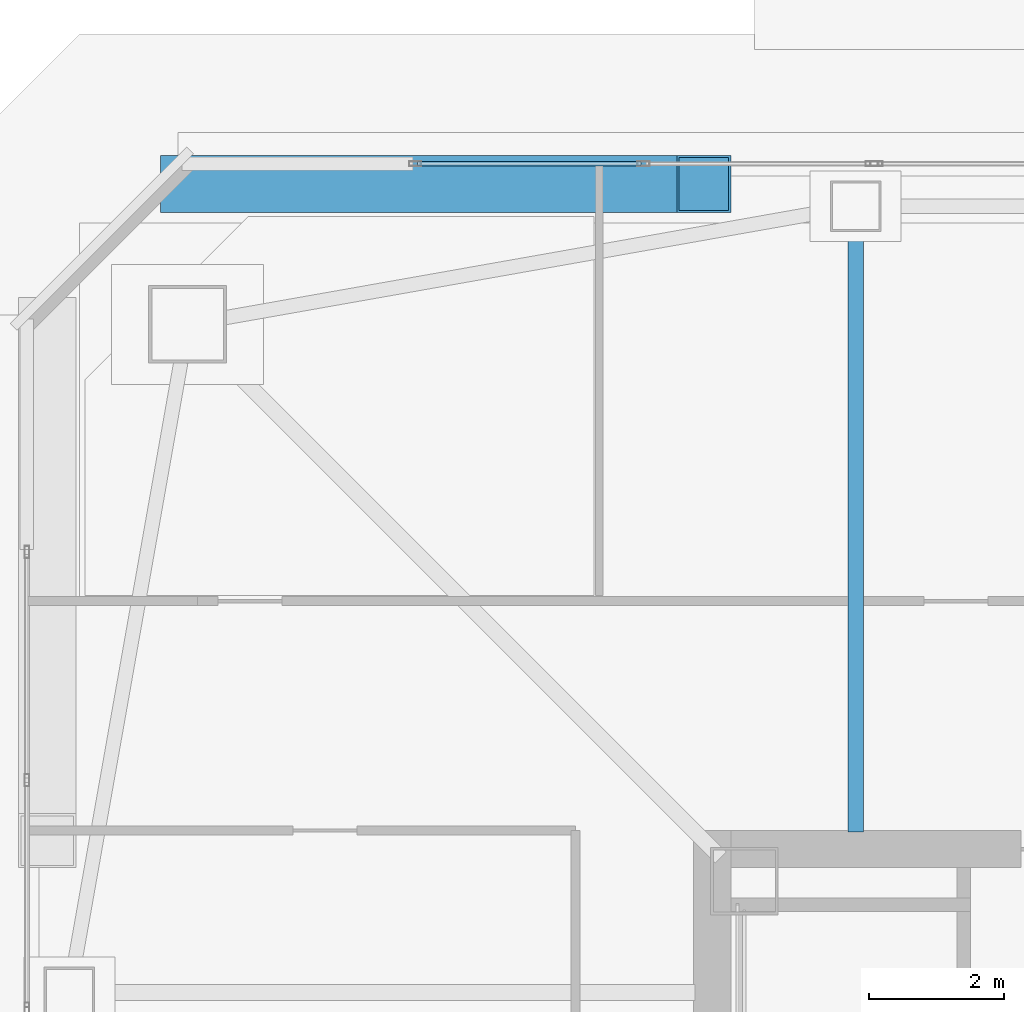
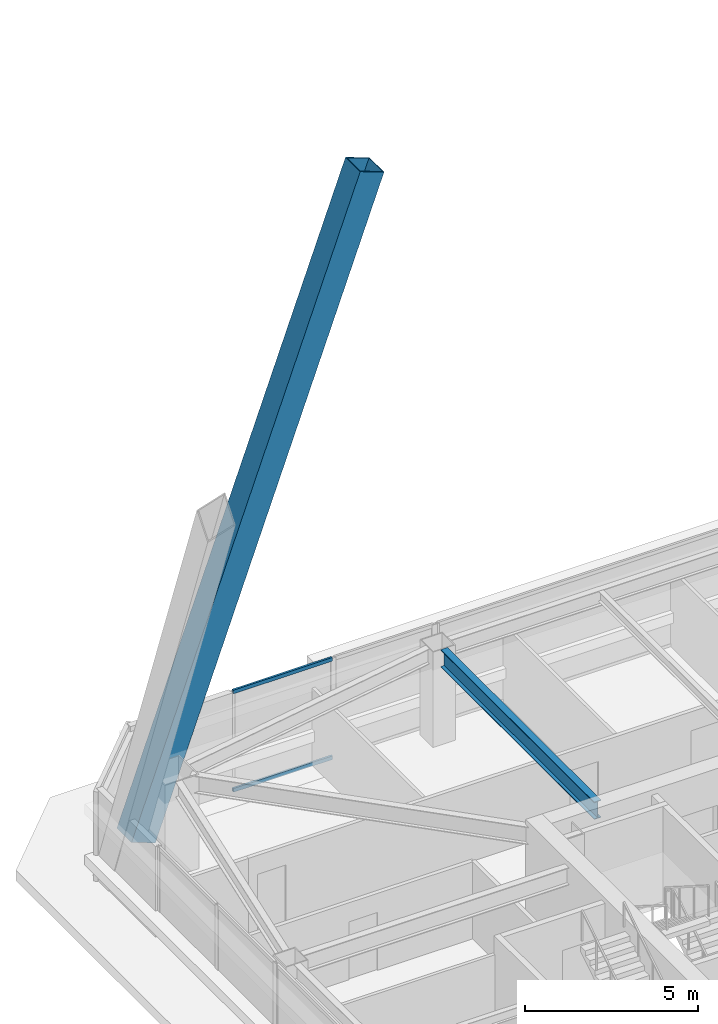
# One storey, part 19 of 65: 3 members, 1 beam, 1 element without a shape of its own.
"""IFC4 building model written with IfcOpenShell, lengths in metres."""

from ifc_helpers import new_model, si_unit, direction, frame, origin, origin_2d, place, context, subcontext, project, spatial, hollow_rectangle, i_section, extrude, material, material_profile, profile_set, type_object, element, aggregate, save


model = new_model("IFC4")

# Units and contexts
model_context = context("Model", 3, precision=1e-05, world=origin(), true_north=direction((0.0, 1.0)))
body_context = subcontext(model_context, "Body", "Model", "MODEL_VIEW")
ifc_project = project(units=[si_unit("LENGTHUNIT", "METRE"), si_unit("AREAUNIT", "SQUARE_METRE"), si_unit("VOLUMEUNIT", "CUBIC_METRE"), si_unit("PLANEANGLEUNIT", "RADIAN"), si_unit("MASSUNIT", "GRAM", prefix="KILO")], contexts=[model_context])

# Site, building, storey
site_placement = place(None, origin())
site = spatial("IfcSite", under=ifc_project, at=site_placement, CompositionType="ELEMENT")
building_placement = place(site_placement, origin())
building = spatial("IfcBuilding", under=site, at=building_placement, Name="Tashvorn Skyway Center", CompositionType="ELEMENT")
storey_placement = place(building_placement, frame((0.0, 0.0, 157.0)))
storey = spatial("IfcBuildingStorey", under=building, at=storey_placement, Name="L42", CompositionType="ELEMENT", Elevation=157.0)

# Beam
ifc_material_1 = material(Name="Steel ASTM A992 Grade 50", Category="steel")
ifc_material_profile_1 = material_profile(ifc_material_1, i_section(OverallWidth=0.22998046875, OverallDepth=0.616943359375, WebThickness=0.01318359375, FlangeThickness=0.022216796875, at=origin_2d()), Name="W24X94")
ifc_profile_set_1 = profile_set([ifc_material_profile_1], Name="Steel ASTM A992 Grade 50")
beam_type = type_object("IfcBeamType", Name="BM-BEAM-W24X94", PredefinedType="BEAM", material=ifc_profile_set_1)
beam_placement = place(storey_placement, frame((36.60009765625, 48.679931640625, 3.0615234375), z_axis=(0.0, -1.0, 0.0), x_axis=(1.0, 0.0, 0.0)))
element("IfcBeam", 1, at=beam_placement, inside=storey, type_object=beam_type, Name="Tower 1 L42 Primary Floor Girder FC-N2", PredefinedType="BEAM", context=body_context, shape_type="SweptSolid", body=[
    extrude(i_section(OverallWidth=0.22998046875, OverallDepth=0.616943359375, WebThickness=0.01318359375, FlangeThickness=0.022216796875, at=origin_2d()), origin(), (0.0, 0.0, 1.0), 8.89990234375),
])

# Curtain wall, members
ifc_material_2 = material(Name="Thermally broken bronze-anodized aluminium 6063-T6", Category="aluminium")
curtain_wall_type = type_object("IfcCurtainWallType", Name="CW-CW-Z4", PredefinedType="NOTDEFINED", material=ifc_material_2)
curtain_wall_placement = place(storey_placement, origin())
curtain_wall = element("IfcCurtainWall", 2, at=curtain_wall_placement, inside=storey, type_object=curtain_wall_type, Name="Tower 1 L42 North Unitised Curtain Wall Glazing Group 1", PredefinedType="NOTDEFINED")
ifc_material_profile_2 = material_profile(ifc_material_2, hollow_rectangle(XDim=0.070068359375, YDim=0.1298828125, WallThickness=0.00390625, at=origin_2d()), Name="ALU-TRAN-70x130")
ifc_profile_set_2 = profile_set([ifc_material_profile_2], Name="Thermally broken bronze-anodized aluminium 6063-T6")
member_type_1 = type_object("IfcMemberType", Name="CWT-CW-Z4", PredefinedType="USERDEFINED", material=ifc_profile_set_2)
member_1_placement = place(storey_placement, frame((30.10791015625, 49.679931640625, 0.034912109375), z_axis=(1.0, 0.0, 0.0), x_axis=(0.0, 1.0, 0.0)))
member_1 = element("IfcMember", 3, at=member_1_placement, type_object=member_type_1, Name="CW-Z4 transom 1.1", ObjectType="TRANSOM", PredefinedType="USERDEFINED", context=body_context, shape_type="SweptSolid", body=[
    extrude(hollow_rectangle(XDim=0.070068359375, YDim=0.1298828125, WallThickness=0.00390625, at=origin_2d()), origin(), (0.0, 0.0, 1.0), 3.312744140625),
])
member_2_placement = place(storey_placement, frame((30.10791015625, 49.679931640625, 3.514892578125), z_axis=(1.0, 0.0, 0.0), x_axis=(0.0, 1.0, 0.0)))
member_2 = element("IfcMember", 4, at=member_2_placement, type_object=member_type_1, Name="CW-Z4 transom 1.2", ObjectType="TRANSOM", PredefinedType="USERDEFINED", context=body_context, shape_type="SweptSolid", body=[
    extrude(hollow_rectangle(XDim=0.070068359375, YDim=0.1298828125, WallThickness=0.00390625, at=origin_2d()), origin(), (0.0, 0.0, 1.0), 3.312744140625),
])
aggregate(curtain_wall, [member_1, member_2])

# Member
ifc_material_3 = material(Name="Steel ASTM A572 Grade 50", Category="steel")
ifc_material_profile_3 = material_profile(ifc_material_3, hollow_rectangle(XDim=0.85009765625, YDim=0.85009765625, WallThickness=0.034912109375, at=origin_2d()), Name="BOX850x850x35")
ifc_profile_set_3 = profile_set([ifc_material_profile_3], Name="Steel ASTM A572 Grade 50")
member_type_2 = type_object("IfcMemberType", Name="MEM-MB-850", PredefinedType="BRACE", material=ifc_profile_set_3)
member_3_placement = place(storey_placement, frame((26.699951171875, 49.3798828125, -0.199951171875), z_axis=(0.341568887038, 0.0, 0.93985674196), x_axis=(0.0, 1.0, 0.0)))
element("IfcMember", 5, at=member_3_placement, inside=storey, type_object=member_type_2, Name="Tower 1 Zone 4 N Chevron Mega-Brace R1", PredefinedType="BRACE", context=body_context, shape_type="SweptSolid", body=[
    extrude(hollow_rectangle(XDim=0.85009765625, YDim=0.85009765625, WallThickness=0.034912109375, at=origin_2d()), origin(), (0.0, 0.0, 1.0), 22.39697265625),
])

save(model, "model.ifc")
